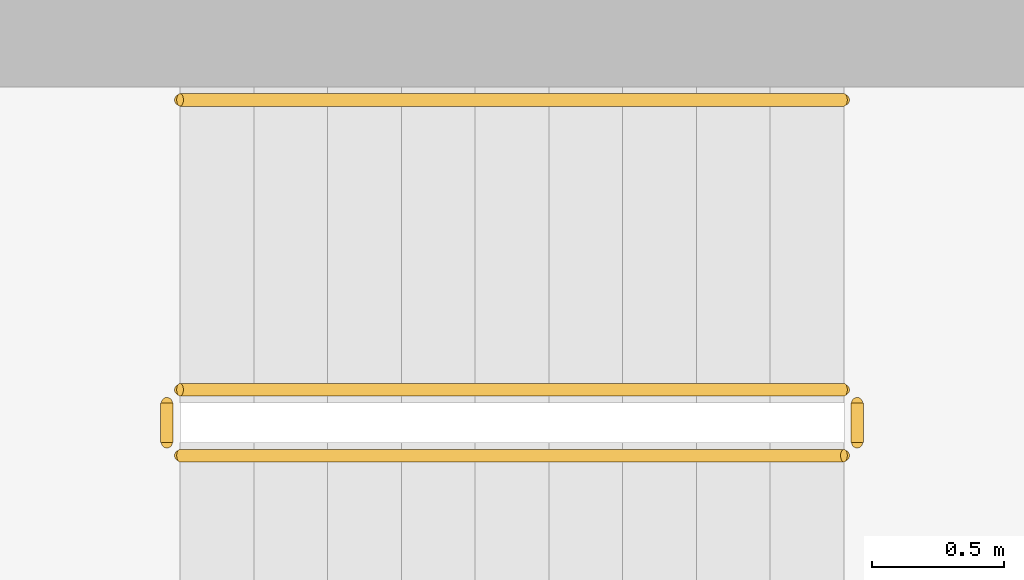
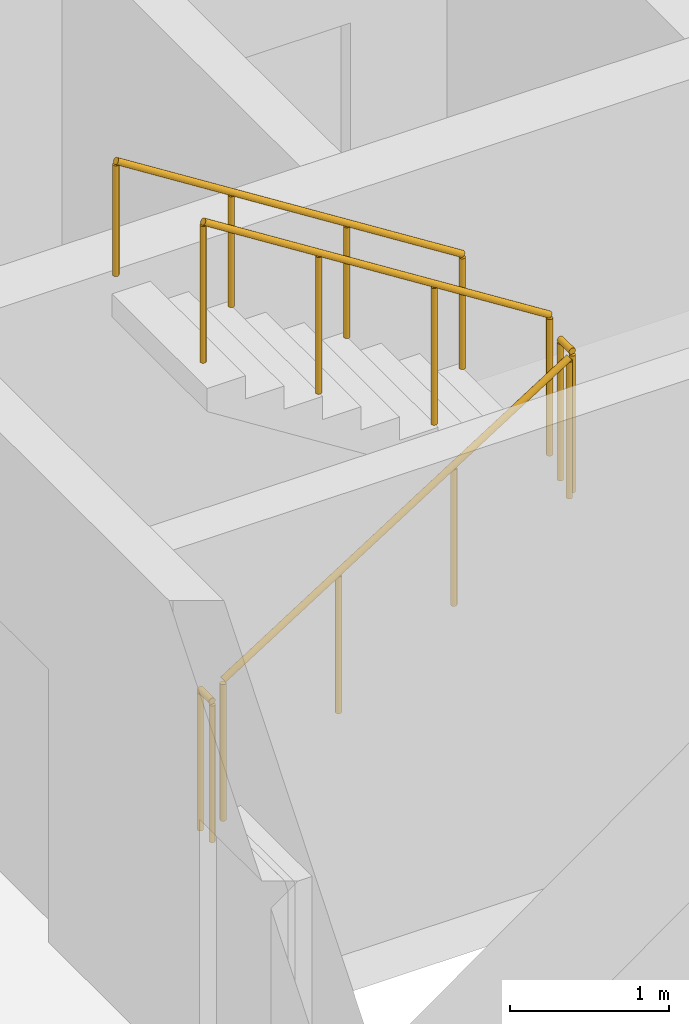
# One storey, part 12 of 14: 5 railings.
"""IFC4 building model written with IfcOpenShell, lengths in metres."""

from ifc_helpers import new_model, si_unit, direction, frame, origin, origin_2d, place, context, subcontext, project, spatial, circle, extrude, material, type_object, element, save


model = new_model("IFC4")

# Units and contexts
model_context = context("Model", 3, precision=1e-05, world=origin(), true_north=direction((0.0, 1.0)))
body_context = subcontext(model_context, "Body", "Model", "MODEL_VIEW")
ifc_project = project(units=[si_unit("LENGTHUNIT", "METRE"), si_unit("AREAUNIT", "SQUARE_METRE"), si_unit("VOLUMEUNIT", "CUBIC_METRE"), si_unit("PLANEANGLEUNIT", "RADIAN"), si_unit("MASSUNIT", "GRAM", prefix="KILO")], contexts=[model_context])

# Site, building, storey
site_placement = place(None, origin())
site = spatial("IfcSite", under=ifc_project, at=site_placement, CompositionType="ELEMENT")
building_placement = place(site_placement, origin())
building = spatial("IfcBuilding", under=site, at=building_placement, Name="Ostrand Prow Hotel Tower", CompositionType="ELEMENT")
storey_placement = place(building_placement, frame((0.0, 0.0, 278.550048828125)))
storey = spatial("IfcBuildingStorey", under=building, at=storey_placement, Name="L70", CompositionType="ELEMENT", Elevation=278.550048828125)

# Railings
ifc_material_1 = material(Name="Painted steel", Category="steel")
railing_type_1 = type_object("IfcRailingType", Name="Stair guard 1100", PredefinedType="GUARDRAIL", material=ifc_material_1)
railing_1_placement = place(storey_placement, frame((57.199951171875, -11.75, 0.177490234375)))
element("IfcRailing", 1, at=railing_1_placement, inside=storey, type_object=railing_type_1, Name="L70 ST2C stair guard 1", PredefinedType="GUARDRAIL", context=body_context, shape_type="SweptSolid", body=[
    extrude(circle(Radius=0.02392578125, at=origin_2d()), frame((0.0, 0.0, 1.076171875), z_axis=(0.84460694969, 0.0, 0.535386869969), x_axis=(0.0, 1.0, 0.0)), (0.0, 0.0, 1.0), 2.983642578125),
    extrude(circle(Radius=0.02099609375, at=origin_2d()), origin(), (0.0, 0.0, 1.0), 1.052001953125),
    extrude(circle(Radius=0.02099609375, at=origin_2d()), frame((0.840087890625, 0.0, 0.532470703125)), (0.0, 0.0, 1.0), 1.052001953125),
    extrude(circle(Radius=0.02099609375, at=origin_2d()), frame((1.679931640625, 0.0, 1.06494140625)), (0.0, 0.0, 1.0), 1.052001953125),
    extrude(circle(Radius=0.02099609375, at=origin_2d()), frame((2.52001953125, 0.0, 1.597412109375)), (0.0, 0.0, 1.0), 1.052001953125),
])
railing_2_placement = place(storey_placement, frame((59.77001953125, -11.699951171875, 1.77490234375)))
element("IfcRailing", 2, at=railing_2_placement, inside=storey, type_object=railing_type_1, Name="L70 ST2C stair guard 2", PredefinedType="GUARDRAIL", context=body_context, shape_type="SweptSolid", body=[
    extrude(circle(Radius=0.02392578125, at=origin_2d()), frame((0.0, 0.0, 1.076171875), z_axis=(0.0, 1.0, 0.0), x_axis=(-1.0, 0.0, 0.0)), (0.0, 0.0, 1.0), 0.14990234375),
    extrude(circle(Radius=0.02099609375, at=origin_2d()), origin(), (0.0, 0.0, 1.0), 1.052001953125),
    extrude(circle(Radius=0.02099609375, at=origin_2d()), frame((0.0, 0.14990234375, 0.0)), (0.0, 0.0, 1.0), 1.052001953125),
])
railing_3_placement = place(storey_placement, frame((59.719970703125, -11.5, 1.952392578125)))
element("IfcRailing", 3, at=railing_3_placement, inside=storey, type_object=railing_type_1, Name="L70 ST2C stair guard 3", PredefinedType="GUARDRAIL", context=body_context, shape_type="SweptSolid", body=[
    extrude(circle(Radius=0.02392578125, at=origin_2d()), frame((0.0, 0.0, 1.076171875), z_axis=(-0.84456994832, 0.0, 0.535445237532), x_axis=(0.0, -1.0, 0.0)), (0.0, 0.0, 1.0), 2.98388671875),
    extrude(circle(Radius=0.02099609375, at=origin_2d()), origin(), (0.0, 0.0, 1.0), 1.052001953125),
    extrude(circle(Radius=0.02099609375, at=origin_2d()), frame((-0.840087890625, 0.0, 0.532470703125)), (0.0, 0.0, 1.0), 1.052001953125),
    extrude(circle(Radius=0.02099609375, at=origin_2d()), frame((-1.679931640625, 0.0, 1.065185546875)), (0.0, 0.0, 1.0), 1.052001953125),
    extrude(circle(Radius=0.02099609375, at=origin_2d()), frame((-2.52001953125, 0.0, 1.59765625)), (0.0, 0.0, 1.0), 1.052001953125),
])
railing_4_placement = place(storey_placement, frame((57.14990234375, -11.699951171875, 0.0)))
element("IfcRailing", 4, at=railing_4_placement, inside=storey, type_object=railing_type_1, Name="L70 ST2C stair guard 4", PredefinedType="GUARDRAIL", context=body_context, shape_type="SweptSolid", body=[
    extrude(circle(Radius=0.02392578125, at=origin_2d()), frame((0.0, 0.0, 1.076171875), z_axis=(0.0, 1.0, 0.0), x_axis=(-1.0, 0.0, 0.0)), (0.0, 0.0, 1.0), 0.14990234375),
    extrude(circle(Radius=0.02099609375, at=origin_2d()), origin(), (0.0, 0.0, 1.0), 1.052001953125),
    extrude(circle(Radius=0.02099609375, at=origin_2d()), frame((0.0, 0.14990234375, 0.0)), (0.0, 0.0, 1.0), 1.052001953125),
])
ifc_material_2 = material(Name="Stainless steel", Category="steel")
railing_type_2 = type_object("IfcRailingType", Name="Stair handrail 900", PredefinedType="HANDRAIL", material=ifc_material_2)
railing_5_placement = place(storey_placement, frame((59.719970703125, -10.39990234375, 1.952392578125)))
element("IfcRailing", 5, at=railing_5_placement, inside=storey, type_object=railing_type_2, Name="L70 ST2C stair handrail 2", PredefinedType="HANDRAIL", context=body_context, shape_type="SweptSolid", body=[
    extrude(circle(Radius=0.02392578125, at=origin_2d()), frame((0.0, 0.0, 0.8759765625), z_axis=(-0.84456994832, 0.0, 0.535445237532), x_axis=(0.0, -1.0, 0.0)), (0.0, 0.0, 1.0), 2.98388671875),
    extrude(circle(Radius=0.02099609375, at=origin_2d()), origin(), (0.0, 0.0, 1.0), 0.851806640625),
    extrude(circle(Radius=0.02099609375, at=origin_2d()), frame((-0.840087890625, 0.0, 0.532470703125)), (0.0, 0.0, 1.0), 0.851806640625),
    extrude(circle(Radius=0.02099609375, at=origin_2d()), frame((-1.679931640625, 0.0, 1.065185546875)), (0.0, 0.0, 1.0), 0.851806640625),
    extrude(circle(Radius=0.02099609375, at=origin_2d()), frame((-2.52001953125, 0.0, 1.59765625)), (0.0, 0.0, 1.0), 0.851806640625),
])

save(model, "model.ifc")
